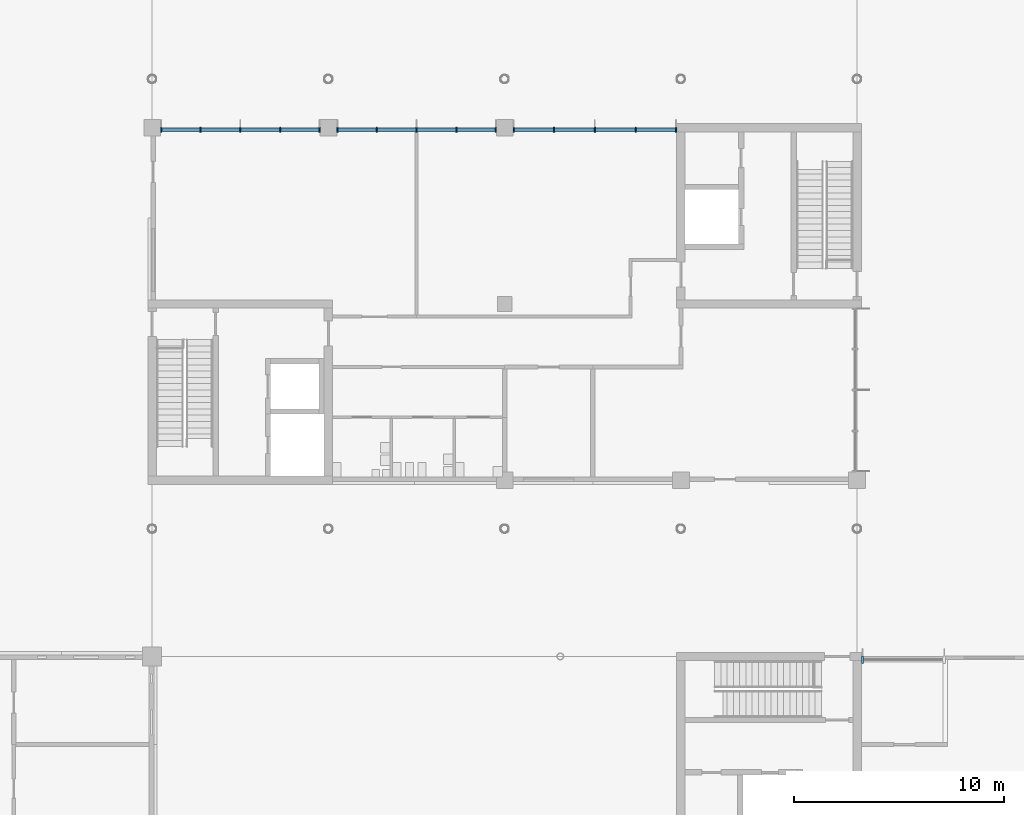
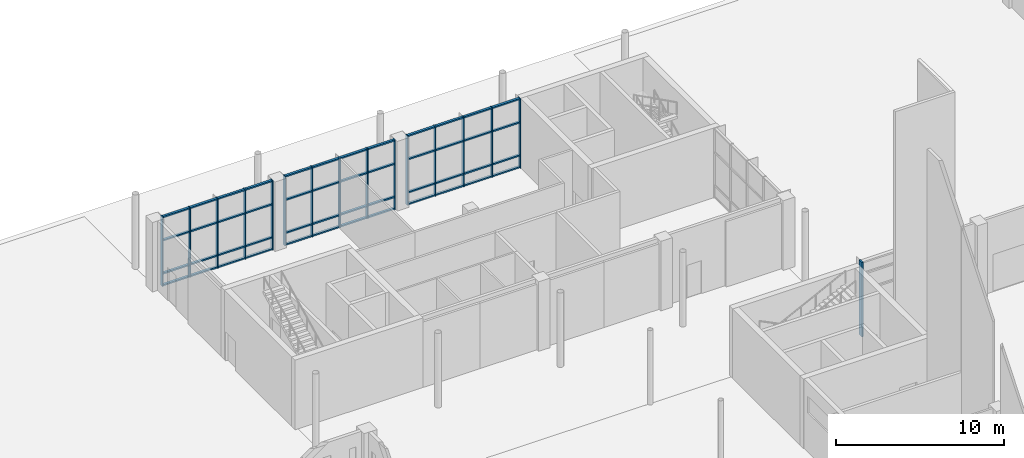
# One storey, part 21 of 76: 64 members, 4 elements without a shape of their own.
"""IFC4 building model written with IfcOpenShell, lengths in metres."""

from ifc_helpers import new_model, si_unit, direction, frame, origin, origin_2d, place, context, subcontext, project, spatial, rectangle, extrude, material, material_profile, profile_set, type_object, element, aggregate, save


model = new_model("IFC4")

# Units and contexts
model_context = context("Model", 3, precision=1e-05, world=origin(), true_north=direction((0.0, 1.0)))
body_context = subcontext(model_context, "Body", "Model", "MODEL_VIEW")
ifc_project = project(units=[si_unit("LENGTHUNIT", "METRE"), si_unit("AREAUNIT", "SQUARE_METRE"), si_unit("VOLUMEUNIT", "CUBIC_METRE"), si_unit("PLANEANGLEUNIT", "RADIAN"), si_unit("MASSUNIT", "GRAM", prefix="KILO")], contexts=[model_context])

# Site, building, storey
site_placement = place(None, origin())
site = spatial("IfcSite", under=ifc_project, at=site_placement, CompositionType="ELEMENT")
building_placement = place(site_placement, origin())
building = spatial("IfcBuilding", under=site, at=building_placement, Name="Hlaing Beacon Police Headquarters", CompositionType="ELEMENT")
storey_placement = place(building_placement, origin())
storey = spatial("IfcBuildingStorey", under=building, at=storey_placement, Name="L00", CompositionType="ELEMENT", Elevation=0.0)

# Curtain wall, member
ifc_material_1 = material(Name="Aluminium frame with solar control glazing", Category="aluminium")
curtain_wall_type_1 = type_object("IfcCurtainWallType", Name="Structural glazed gable wall 4.00 x 5.40", PredefinedType="NOTDEFINED", material=ifc_material_1)
curtain_wall_1_placement = place(storey_placement, origin())
curtain_wall_1 = element("IfcCurtainWall", 1, at=curtain_wall_1_placement, inside=storey, type_object=curtain_wall_type_1, Name="ENV-CW-L00-N021", PredefinedType="NOTDEFINED")
ifc_material_2 = material(Name="Aluminium", Category="aluminium")
ifc_material_profile_1 = material_profile(ifc_material_2, rectangle(XDim=0.35009765625, YDim=0.10009765625, at=origin_2d()), Name="Mullion 100x350")
ifc_profile_set_1 = profile_set([ifc_material_profile_1], Name="Aluminium")
member_type_1 = type_object("IfcMemberType", Name="Mullion 100x350", PredefinedType="MULLION", material=ifc_profile_set_1)
member_1_placement = place(storey_placement, frame((67.449951171875, 67.050048828125, 0.0), z_axis=(0.0, 0.0, 1.0), x_axis=(0.0, -1.0, 0.0)))
member_1 = element("IfcMember", 2, at=member_1_placement, type_object=member_type_1, Name="CW-L00-N021 mullion 2", PredefinedType="MULLION", context=body_context, shape_type="SweptSolid", body=[
    extrude(rectangle(XDim=0.35009765625, YDim=0.10009765625, at=origin_2d()), origin(), (0.0, 0.0, 1.0), 5.39990234375),
])
aggregate(curtain_wall_1, [member_1])

# Curtain wall, members
ifc_material_3 = material(Name="Aluminium frame with solar control glazing", Category="aluminium")
curtain_wall_type_2 = type_object("IfcCurtainWallType", Name="Unitised curtain wall 7.80 x 5.05", PredefinedType="NOTDEFINED", material=ifc_material_3)
curtain_wall_2_placement = place(storey_placement, origin())
curtain_wall_2 = element("IfcCurtainWall", 3, at=curtain_wall_2_placement, inside=storey, type_object=curtain_wall_type_2, Name="ENV-CW-L00-N023", PredefinedType="NOTDEFINED")
ifc_material_4 = material(Name="Aluminium", Category="aluminium")
ifc_material_profile_2 = material_profile(ifc_material_4, rectangle(XDim=0.25, YDim=0.06005859375, at=origin_2d()), Name="Mullion 60x250")
ifc_profile_set_2 = profile_set([ifc_material_profile_2], Name="Aluminium")
member_type_2 = type_object("IfcMemberType", Name="Mullion 60x250", PredefinedType="MULLION", material=ifc_profile_set_2)
member_2_placement = place(storey_placement, frame((58.570068359375, 92.300048828125, 0.0), z_axis=(0.0, 0.0, 1.0), x_axis=(0.0, -1.0, 0.0)))
member_2 = element("IfcMember", 4, at=member_2_placement, type_object=member_type_2, Name="CW-L00-N023 mullion 1", PredefinedType="MULLION", context=body_context, shape_type="SweptSolid", body=[
    extrude(rectangle(XDim=0.25, YDim=0.06005859375, at=origin_2d()), origin(), (0.0, 0.0, 1.0), 5.050048828125),
])
member_3_placement = place(storey_placement, frame((56.64990234375, 92.300048828125, 0.0), z_axis=(0.0, 0.0, 1.0), x_axis=(0.0, -1.0, 0.0)))
member_3 = element("IfcMember", 5, at=member_3_placement, type_object=member_type_2, Name="CW-L00-N023 mullion 2", PredefinedType="MULLION", context=body_context, shape_type="SweptSolid", body=[
    extrude(rectangle(XDim=0.25, YDim=0.06005859375, at=origin_2d()), origin(), (0.0, 0.0, 1.0), 5.050048828125),
])
member_4_placement = place(storey_placement, frame((54.699951171875, 92.300048828125, 0.0), z_axis=(0.0, 0.0, 1.0), x_axis=(0.0, -1.0, 0.0)))
member_4 = element("IfcMember", 6, at=member_4_placement, type_object=member_type_2, Name="CW-L00-N023 mullion 3", PredefinedType="MULLION", context=body_context, shape_type="SweptSolid", body=[
    extrude(rectangle(XDim=0.25, YDim=0.06005859375, at=origin_2d()), origin(), (0.0, 0.0, 1.0), 5.050048828125),
])
member_5_placement = place(storey_placement, frame((52.75, 92.300048828125, 0.0), z_axis=(0.0, 0.0, 1.0), x_axis=(0.0, -1.0, 0.0)))
member_5 = element("IfcMember", 7, at=member_5_placement, type_object=member_type_2, Name="CW-L00-N023 mullion 4", PredefinedType="MULLION", context=body_context, shape_type="SweptSolid", body=[
    extrude(rectangle(XDim=0.25, YDim=0.06005859375, at=origin_2d()), origin(), (0.0, 0.0, 1.0), 5.050048828125),
])
member_6_placement = place(storey_placement, frame((50.830078125, 92.300048828125, 0.0), z_axis=(0.0, 0.0, 1.0), x_axis=(0.0, -1.0, 0.0)))
member_6 = element("IfcMember", 8, at=member_6_placement, type_object=member_type_2, Name="CW-L00-N023 mullion 5", PredefinedType="MULLION", context=body_context, shape_type="SweptSolid", body=[
    extrude(rectangle(XDim=0.25, YDim=0.06005859375, at=origin_2d()), origin(), (0.0, 0.0, 1.0), 5.050048828125),
])

ifc_material_5 = material(Name="Aluminium frame with solar control glazing", Category="aluminium")
curtain_wall_type_3 = type_object("IfcCurtainWallType", Name="Unitised curtain wall 7.60 x 5.05", PredefinedType="NOTDEFINED", material=ifc_material_5)
curtain_wall_3_placement = place(storey_placement, origin())
curtain_wall_3 = element("IfcCurtainWall", 9, at=curtain_wall_3_placement, inside=storey, type_object=curtain_wall_type_3, Name="ENV-CW-L00-N024", PredefinedType="NOTDEFINED")
member_7_placement = place(storey_placement, frame((49.969970703125, 92.300048828125, 0.0), z_axis=(0.0, 0.0, 1.0), x_axis=(0.0, -1.0, 0.0)))
member_7 = element("IfcMember", 10, at=member_7_placement, type_object=member_type_2, Name="CW-L00-N024 mullion 1", PredefinedType="MULLION", context=body_context, shape_type="SweptSolid", body=[
    extrude(rectangle(XDim=0.25, YDim=0.06005859375, at=origin_2d()), origin(), (0.0, 0.0, 1.0), 5.050048828125),
])
member_8_placement = place(storey_placement, frame((48.10009765625, 92.300048828125, 0.0), z_axis=(0.0, 0.0, 1.0), x_axis=(0.0, -1.0, 0.0)))
member_8 = element("IfcMember", 11, at=member_8_placement, type_object=member_type_2, Name="CW-L00-N024 mullion 2", PredefinedType="MULLION", context=body_context, shape_type="SweptSolid", body=[
    extrude(rectangle(XDim=0.25, YDim=0.06005859375, at=origin_2d()), origin(), (0.0, 0.0, 1.0), 5.050048828125),
])
member_9_placement = place(storey_placement, frame((46.199951171875, 92.300048828125, 0.0), z_axis=(0.0, 0.0, 1.0), x_axis=(0.0, -1.0, 0.0)))
member_9 = element("IfcMember", 12, at=member_9_placement, type_object=member_type_2, Name="CW-L00-N024 mullion 3", PredefinedType="MULLION", context=body_context, shape_type="SweptSolid", body=[
    extrude(rectangle(XDim=0.25, YDim=0.06005859375, at=origin_2d()), origin(), (0.0, 0.0, 1.0), 5.050048828125),
])
member_10_placement = place(storey_placement, frame((44.300048828125, 92.300048828125, 0.0), z_axis=(0.0, 0.0, 1.0), x_axis=(0.0, -1.0, 0.0)))
member_10 = element("IfcMember", 13, at=member_10_placement, type_object=member_type_2, Name="CW-L00-N024 mullion 4", PredefinedType="MULLION", context=body_context, shape_type="SweptSolid", body=[
    extrude(rectangle(XDim=0.25, YDim=0.06005859375, at=origin_2d()), origin(), (0.0, 0.0, 1.0), 5.050048828125),
])
member_11_placement = place(storey_placement, frame((42.429931640625, 92.300048828125, 0.0), z_axis=(0.0, 0.0, 1.0), x_axis=(0.0, -1.0, 0.0)))
member_11 = element("IfcMember", 14, at=member_11_placement, type_object=member_type_2, Name="CW-L00-N024 mullion 5", PredefinedType="MULLION", context=body_context, shape_type="SweptSolid", body=[
    extrude(rectangle(XDim=0.25, YDim=0.06005859375, at=origin_2d()), origin(), (0.0, 0.0, 1.0), 5.050048828125),
])

curtain_wall_4_placement = place(storey_placement, origin())
curtain_wall_4 = element("IfcCurtainWall", 15, at=curtain_wall_4_placement, inside=storey, type_object=curtain_wall_type_3, Name="ENV-CW-L00-N025", PredefinedType="NOTDEFINED")
member_12_placement = place(storey_placement, frame((41.570068359375, 92.300048828125, 0.0), z_axis=(0.0, 0.0, 1.0), x_axis=(0.0, -1.0, 0.0)))
member_12 = element("IfcMember", 16, at=member_12_placement, type_object=member_type_2, Name="CW-L00-N025 mullion 1", PredefinedType="MULLION", context=body_context, shape_type="SweptSolid", body=[
    extrude(rectangle(XDim=0.25, YDim=0.06005859375, at=origin_2d()), origin(), (0.0, 0.0, 1.0), 5.050048828125),
])
member_13_placement = place(storey_placement, frame((39.699951171875, 92.300048828125, 0.0), z_axis=(0.0, 0.0, 1.0), x_axis=(0.0, -1.0, 0.0)))
member_13 = element("IfcMember", 17, at=member_13_placement, type_object=member_type_2, Name="CW-L00-N025 mullion 2", PredefinedType="MULLION", context=body_context, shape_type="SweptSolid", body=[
    extrude(rectangle(XDim=0.25, YDim=0.06005859375, at=origin_2d()), origin(), (0.0, 0.0, 1.0), 5.050048828125),
])
member_14_placement = place(storey_placement, frame((37.800048828125, 92.300048828125, 0.0), z_axis=(0.0, 0.0, 1.0), x_axis=(0.0, -1.0, 0.0)))
member_14 = element("IfcMember", 18, at=member_14_placement, type_object=member_type_2, Name="CW-L00-N025 mullion 3", PredefinedType="MULLION", context=body_context, shape_type="SweptSolid", body=[
    extrude(rectangle(XDim=0.25, YDim=0.06005859375, at=origin_2d()), origin(), (0.0, 0.0, 1.0), 5.050048828125),
])
member_15_placement = place(storey_placement, frame((35.89990234375, 92.300048828125, 0.0), z_axis=(0.0, 0.0, 1.0), x_axis=(0.0, -1.0, 0.0)))
member_15 = element("IfcMember", 19, at=member_15_placement, type_object=member_type_2, Name="CW-L00-N025 mullion 4", PredefinedType="MULLION", context=body_context, shape_type="SweptSolid", body=[
    extrude(rectangle(XDim=0.25, YDim=0.06005859375, at=origin_2d()), origin(), (0.0, 0.0, 1.0), 5.050048828125),
])
member_16_placement = place(storey_placement, frame((34.030029296875, 92.300048828125, 0.0), z_axis=(0.0, 0.0, 1.0), x_axis=(0.0, -1.0, 0.0)))
member_16 = element("IfcMember", 20, at=member_16_placement, type_object=member_type_2, Name="CW-L00-N025 mullion 5", PredefinedType="MULLION", context=body_context, shape_type="SweptSolid", body=[
    extrude(rectangle(XDim=0.25, YDim=0.06005859375, at=origin_2d()), origin(), (0.0, 0.0, 1.0), 5.050048828125),
])

# Member
ifc_material_6 = material(Name="Aluminium", Category="aluminium")
ifc_material_profile_3 = material_profile(ifc_material_6, rectangle(XDim=0.159912109375, YDim=0.10009765625, at=origin_2d()), Name="Transom 160x100")
ifc_profile_set_3 = profile_set([ifc_material_profile_3], Name="Aluminium")
member_type_3 = type_object("IfcMemberType", Name="Transom 160x100", PredefinedType="USERDEFINED", material=ifc_profile_set_3)
member_17_placement = place(storey_placement, frame((58.5400390625, 92.300048828125, 0.050048828125), z_axis=(-1.0, 0.0, 0.0), x_axis=(0.0, -1.0, 0.0)))
member_17 = element("IfcMember", 21, at=member_17_placement, type_object=member_type_3, Name="CW-L00-N023 transom 1.1", ObjectType="TRANSOM", PredefinedType="USERDEFINED", context=body_context, shape_type="SweptSolid", body=[
    extrude(rectangle(XDim=0.159912109375, YDim=0.10009765625, at=origin_2d()), origin(), (0.0, 0.0, 1.0), 1.860107421875),
])

member_18_placement = place(storey_placement, frame((58.5400390625, 92.300048828125, 0.89990234375), z_axis=(-1.0, 0.0, 0.0), x_axis=(0.0, -1.0, 0.0)))
member_18 = element("IfcMember", 22, at=member_18_placement, type_object=member_type_3, Name="CW-L00-N023 transom 1.2", ObjectType="TRANSOM", PredefinedType="USERDEFINED", context=body_context, shape_type="SweptSolid", body=[
    extrude(rectangle(XDim=0.159912109375, YDim=0.10009765625, at=origin_2d()), origin(), (0.0, 0.0, 1.0), 1.860107421875),
])

member_19_placement = place(storey_placement, frame((58.5400390625, 92.300048828125, 3.300048828125), z_axis=(-1.0, 0.0, 0.0), x_axis=(0.0, -1.0, 0.0)))
member_19 = element("IfcMember", 23, at=member_19_placement, type_object=member_type_3, Name="CW-L00-N023 transom 1.3", ObjectType="TRANSOM", PredefinedType="USERDEFINED", context=body_context, shape_type="SweptSolid", body=[
    extrude(rectangle(XDim=0.159912109375, YDim=0.10009765625, at=origin_2d()), origin(), (0.0, 0.0, 1.0), 1.860107421875),
])

member_20_placement = place(storey_placement, frame((58.5400390625, 92.300048828125, 5.0), z_axis=(-1.0, 0.0, 0.0), x_axis=(0.0, -1.0, 0.0)))
member_20 = element("IfcMember", 24, at=member_20_placement, type_object=member_type_3, Name="CW-L00-N023 transom 1.4", ObjectType="TRANSOM", PredefinedType="USERDEFINED", context=body_context, shape_type="SweptSolid", body=[
    extrude(rectangle(XDim=0.159912109375, YDim=0.10009765625, at=origin_2d()), origin(), (0.0, 0.0, 1.0), 1.860107421875),
])

member_21_placement = place(storey_placement, frame((56.6201171875, 92.300048828125, 0.050048828125), z_axis=(-1.0, 0.0, 0.0), x_axis=(0.0, -1.0, 0.0)))
member_21 = element("IfcMember", 25, at=member_21_placement, type_object=member_type_3, Name="CW-L00-N023 transom 2.1", ObjectType="TRANSOM", PredefinedType="USERDEFINED", context=body_context, shape_type="SweptSolid", body=[
    extrude(rectangle(XDim=0.159912109375, YDim=0.10009765625, at=origin_2d()), origin(), (0.0, 0.0, 1.0), 1.89013671875),
])

member_22_placement = place(storey_placement, frame((56.6201171875, 92.300048828125, 0.89990234375), z_axis=(-1.0, 0.0, 0.0), x_axis=(0.0, -1.0, 0.0)))
member_22 = element("IfcMember", 26, at=member_22_placement, type_object=member_type_3, Name="CW-L00-N023 transom 2.2", ObjectType="TRANSOM", PredefinedType="USERDEFINED", context=body_context, shape_type="SweptSolid", body=[
    extrude(rectangle(XDim=0.159912109375, YDim=0.10009765625, at=origin_2d()), origin(), (0.0, 0.0, 1.0), 1.89013671875),
])

member_23_placement = place(storey_placement, frame((56.6201171875, 92.300048828125, 3.300048828125), z_axis=(-1.0, 0.0, 0.0), x_axis=(0.0, -1.0, 0.0)))
member_23 = element("IfcMember", 27, at=member_23_placement, type_object=member_type_3, Name="CW-L00-N023 transom 2.3", ObjectType="TRANSOM", PredefinedType="USERDEFINED", context=body_context, shape_type="SweptSolid", body=[
    extrude(rectangle(XDim=0.159912109375, YDim=0.10009765625, at=origin_2d()), origin(), (0.0, 0.0, 1.0), 1.89013671875),
])

member_24_placement = place(storey_placement, frame((56.6201171875, 92.300048828125, 5.0), z_axis=(-1.0, 0.0, 0.0), x_axis=(0.0, -1.0, 0.0)))
member_24 = element("IfcMember", 28, at=member_24_placement, type_object=member_type_3, Name="CW-L00-N023 transom 2.4", ObjectType="TRANSOM", PredefinedType="USERDEFINED", context=body_context, shape_type="SweptSolid", body=[
    extrude(rectangle(XDim=0.159912109375, YDim=0.10009765625, at=origin_2d()), origin(), (0.0, 0.0, 1.0), 1.89013671875),
])

member_25_placement = place(storey_placement, frame((54.669921875, 92.300048828125, 0.050048828125), z_axis=(-1.0, 0.0, 0.0), x_axis=(0.0, -1.0, 0.0)))
member_25 = element("IfcMember", 29, at=member_25_placement, type_object=member_type_3, Name="CW-L00-N023 transom 3.1", ObjectType="TRANSOM", PredefinedType="USERDEFINED", context=body_context, shape_type="SweptSolid", body=[
    extrude(rectangle(XDim=0.159912109375, YDim=0.10009765625, at=origin_2d()), origin(), (0.0, 0.0, 1.0), 1.889892578125),
])

member_26_placement = place(storey_placement, frame((54.669921875, 92.300048828125, 0.89990234375), z_axis=(-1.0, 0.0, 0.0), x_axis=(0.0, -1.0, 0.0)))
member_26 = element("IfcMember", 30, at=member_26_placement, type_object=member_type_3, Name="CW-L00-N023 transom 3.2", ObjectType="TRANSOM", PredefinedType="USERDEFINED", context=body_context, shape_type="SweptSolid", body=[
    extrude(rectangle(XDim=0.159912109375, YDim=0.10009765625, at=origin_2d()), origin(), (0.0, 0.0, 1.0), 1.889892578125),
])

member_27_placement = place(storey_placement, frame((54.669921875, 92.300048828125, 3.300048828125), z_axis=(-1.0, 0.0, 0.0), x_axis=(0.0, -1.0, 0.0)))
member_27 = element("IfcMember", 31, at=member_27_placement, type_object=member_type_3, Name="CW-L00-N023 transom 3.3", ObjectType="TRANSOM", PredefinedType="USERDEFINED", context=body_context, shape_type="SweptSolid", body=[
    extrude(rectangle(XDim=0.159912109375, YDim=0.10009765625, at=origin_2d()), origin(), (0.0, 0.0, 1.0), 1.889892578125),
])

member_28_placement = place(storey_placement, frame((54.669921875, 92.300048828125, 5.0), z_axis=(-1.0, 0.0, 0.0), x_axis=(0.0, -1.0, 0.0)))
member_28 = element("IfcMember", 32, at=member_28_placement, type_object=member_type_3, Name="CW-L00-N023 transom 3.4", ObjectType="TRANSOM", PredefinedType="USERDEFINED", context=body_context, shape_type="SweptSolid", body=[
    extrude(rectangle(XDim=0.159912109375, YDim=0.10009765625, at=origin_2d()), origin(), (0.0, 0.0, 1.0), 1.889892578125),
])

member_29_placement = place(storey_placement, frame((52.719970703125, 92.300048828125, 0.050048828125), z_axis=(-1.0, 0.0, 0.0), x_axis=(0.0, -1.0, 0.0)))
member_29 = element("IfcMember", 33, at=member_29_placement, type_object=member_type_3, Name="CW-L00-N023 transom 4.1", ObjectType="TRANSOM", PredefinedType="USERDEFINED", context=body_context, shape_type="SweptSolid", body=[
    extrude(rectangle(XDim=0.159912109375, YDim=0.10009765625, at=origin_2d()), origin(), (0.0, 0.0, 1.0), 1.85986328125),
])

member_30_placement = place(storey_placement, frame((52.719970703125, 92.300048828125, 0.89990234375), z_axis=(-1.0, 0.0, 0.0), x_axis=(0.0, -1.0, 0.0)))
member_30 = element("IfcMember", 34, at=member_30_placement, type_object=member_type_3, Name="CW-L00-N023 transom 4.2", ObjectType="TRANSOM", PredefinedType="USERDEFINED", context=body_context, shape_type="SweptSolid", body=[
    extrude(rectangle(XDim=0.159912109375, YDim=0.10009765625, at=origin_2d()), origin(), (0.0, 0.0, 1.0), 1.85986328125),
])

member_31_placement = place(storey_placement, frame((52.719970703125, 92.300048828125, 3.300048828125), z_axis=(-1.0, 0.0, 0.0), x_axis=(0.0, -1.0, 0.0)))
member_31 = element("IfcMember", 35, at=member_31_placement, type_object=member_type_3, Name="CW-L00-N023 transom 4.3", ObjectType="TRANSOM", PredefinedType="USERDEFINED", context=body_context, shape_type="SweptSolid", body=[
    extrude(rectangle(XDim=0.159912109375, YDim=0.10009765625, at=origin_2d()), origin(), (0.0, 0.0, 1.0), 1.85986328125),
])

member_32_placement = place(storey_placement, frame((52.719970703125, 92.300048828125, 5.0), z_axis=(-1.0, 0.0, 0.0), x_axis=(0.0, -1.0, 0.0)))
member_32 = element("IfcMember", 36, at=member_32_placement, type_object=member_type_3, Name="CW-L00-N023 transom 4.4", ObjectType="TRANSOM", PredefinedType="USERDEFINED", context=body_context, shape_type="SweptSolid", body=[
    extrude(rectangle(XDim=0.159912109375, YDim=0.10009765625, at=origin_2d()), origin(), (0.0, 0.0, 1.0), 1.85986328125),
])

aggregate(curtain_wall_2, [member_2, member_3, member_4, member_5, member_6, member_17, member_18, member_19, member_20, member_21, member_22, member_23, member_24, member_25, member_26, member_27, member_28, member_29, member_30, member_31, member_32])

member_33_placement = place(storey_placement, frame((49.93994140625, 92.300048828125, 0.050048828125), z_axis=(-1.0, 0.0, 0.0), x_axis=(0.0, -1.0, 0.0)))
member_33 = element("IfcMember", 37, at=member_33_placement, type_object=member_type_3, Name="CW-L00-N024 transom 1.1", ObjectType="TRANSOM", PredefinedType="USERDEFINED", context=body_context, shape_type="SweptSolid", body=[
    extrude(rectangle(XDim=0.159912109375, YDim=0.10009765625, at=origin_2d()), origin(), (0.0, 0.0, 1.0), 1.81005859375),
])

member_34_placement = place(storey_placement, frame((49.93994140625, 92.300048828125, 0.89990234375), z_axis=(-1.0, 0.0, 0.0), x_axis=(0.0, -1.0, 0.0)))
member_34 = element("IfcMember", 38, at=member_34_placement, type_object=member_type_3, Name="CW-L00-N024 transom 1.2", ObjectType="TRANSOM", PredefinedType="USERDEFINED", context=body_context, shape_type="SweptSolid", body=[
    extrude(rectangle(XDim=0.159912109375, YDim=0.10009765625, at=origin_2d()), origin(), (0.0, 0.0, 1.0), 1.81005859375),
])

member_35_placement = place(storey_placement, frame((49.93994140625, 92.300048828125, 3.300048828125), z_axis=(-1.0, 0.0, 0.0), x_axis=(0.0, -1.0, 0.0)))
member_35 = element("IfcMember", 39, at=member_35_placement, type_object=member_type_3, Name="CW-L00-N024 transom 1.3", ObjectType="TRANSOM", PredefinedType="USERDEFINED", context=body_context, shape_type="SweptSolid", body=[
    extrude(rectangle(XDim=0.159912109375, YDim=0.10009765625, at=origin_2d()), origin(), (0.0, 0.0, 1.0), 1.81005859375),
])

member_36_placement = place(storey_placement, frame((49.93994140625, 92.300048828125, 5.0), z_axis=(-1.0, 0.0, 0.0), x_axis=(0.0, -1.0, 0.0)))
member_36 = element("IfcMember", 40, at=member_36_placement, type_object=member_type_3, Name="CW-L00-N024 transom 1.4", ObjectType="TRANSOM", PredefinedType="USERDEFINED", context=body_context, shape_type="SweptSolid", body=[
    extrude(rectangle(XDim=0.159912109375, YDim=0.10009765625, at=origin_2d()), origin(), (0.0, 0.0, 1.0), 1.81005859375),
])

member_37_placement = place(storey_placement, frame((48.070068359375, 92.300048828125, 0.050048828125), z_axis=(-1.0, 0.0, 0.0), x_axis=(0.0, -1.0, 0.0)))
member_37 = element("IfcMember", 41, at=member_37_placement, type_object=member_type_3, Name="CW-L00-N024 transom 2.1", ObjectType="TRANSOM", PredefinedType="USERDEFINED", context=body_context, shape_type="SweptSolid", body=[
    extrude(rectangle(XDim=0.159912109375, YDim=0.10009765625, at=origin_2d()), origin(), (0.0, 0.0, 1.0), 1.840087890625),
])

member_38_placement = place(storey_placement, frame((48.070068359375, 92.300048828125, 0.89990234375), z_axis=(-1.0, 0.0, 0.0), x_axis=(0.0, -1.0, 0.0)))
member_38 = element("IfcMember", 42, at=member_38_placement, type_object=member_type_3, Name="CW-L00-N024 transom 2.2", ObjectType="TRANSOM", PredefinedType="USERDEFINED", context=body_context, shape_type="SweptSolid", body=[
    extrude(rectangle(XDim=0.159912109375, YDim=0.10009765625, at=origin_2d()), origin(), (0.0, 0.0, 1.0), 1.840087890625),
])

member_39_placement = place(storey_placement, frame((48.070068359375, 92.300048828125, 3.300048828125), z_axis=(-1.0, 0.0, 0.0), x_axis=(0.0, -1.0, 0.0)))
member_39 = element("IfcMember", 43, at=member_39_placement, type_object=member_type_3, Name="CW-L00-N024 transom 2.3", ObjectType="TRANSOM", PredefinedType="USERDEFINED", context=body_context, shape_type="SweptSolid", body=[
    extrude(rectangle(XDim=0.159912109375, YDim=0.10009765625, at=origin_2d()), origin(), (0.0, 0.0, 1.0), 1.840087890625),
])

member_40_placement = place(storey_placement, frame((48.070068359375, 92.300048828125, 5.0), z_axis=(-1.0, 0.0, 0.0), x_axis=(0.0, -1.0, 0.0)))
member_40 = element("IfcMember", 44, at=member_40_placement, type_object=member_type_3, Name="CW-L00-N024 transom 2.4", ObjectType="TRANSOM", PredefinedType="USERDEFINED", context=body_context, shape_type="SweptSolid", body=[
    extrude(rectangle(XDim=0.159912109375, YDim=0.10009765625, at=origin_2d()), origin(), (0.0, 0.0, 1.0), 1.840087890625),
])

member_41_placement = place(storey_placement, frame((46.169921875, 92.300048828125, 0.050048828125), z_axis=(-1.0, 0.0, 0.0), x_axis=(0.0, -1.0, 0.0)))
member_41 = element("IfcMember", 45, at=member_41_placement, type_object=member_type_3, Name="CW-L00-N024 transom 3.1", ObjectType="TRANSOM", PredefinedType="USERDEFINED", context=body_context, shape_type="SweptSolid", body=[
    extrude(rectangle(XDim=0.159912109375, YDim=0.10009765625, at=origin_2d()), origin(), (0.0, 0.0, 1.0), 1.83984375),
])

member_42_placement = place(storey_placement, frame((46.169921875, 92.300048828125, 0.89990234375), z_axis=(-1.0, 0.0, 0.0), x_axis=(0.0, -1.0, 0.0)))
member_42 = element("IfcMember", 46, at=member_42_placement, type_object=member_type_3, Name="CW-L00-N024 transom 3.2", ObjectType="TRANSOM", PredefinedType="USERDEFINED", context=body_context, shape_type="SweptSolid", body=[
    extrude(rectangle(XDim=0.159912109375, YDim=0.10009765625, at=origin_2d()), origin(), (0.0, 0.0, 1.0), 1.83984375),
])

member_43_placement = place(storey_placement, frame((46.169921875, 92.300048828125, 3.300048828125), z_axis=(-1.0, 0.0, 0.0), x_axis=(0.0, -1.0, 0.0)))
member_43 = element("IfcMember", 47, at=member_43_placement, type_object=member_type_3, Name="CW-L00-N024 transom 3.3", ObjectType="TRANSOM", PredefinedType="USERDEFINED", context=body_context, shape_type="SweptSolid", body=[
    extrude(rectangle(XDim=0.159912109375, YDim=0.10009765625, at=origin_2d()), origin(), (0.0, 0.0, 1.0), 1.83984375),
])

member_44_placement = place(storey_placement, frame((46.169921875, 92.300048828125, 5.0), z_axis=(-1.0, 0.0, 0.0), x_axis=(0.0, -1.0, 0.0)))
member_44 = element("IfcMember", 48, at=member_44_placement, type_object=member_type_3, Name="CW-L00-N024 transom 3.4", ObjectType="TRANSOM", PredefinedType="USERDEFINED", context=body_context, shape_type="SweptSolid", body=[
    extrude(rectangle(XDim=0.159912109375, YDim=0.10009765625, at=origin_2d()), origin(), (0.0, 0.0, 1.0), 1.83984375),
])

member_45_placement = place(storey_placement, frame((44.27001953125, 92.300048828125, 0.050048828125), z_axis=(-1.0, 0.0, 0.0), x_axis=(0.0, -1.0, 0.0)))
member_45 = element("IfcMember", 49, at=member_45_placement, type_object=member_type_3, Name="CW-L00-N024 transom 4.1", ObjectType="TRANSOM", PredefinedType="USERDEFINED", context=body_context, shape_type="SweptSolid", body=[
    extrude(rectangle(XDim=0.159912109375, YDim=0.10009765625, at=origin_2d()), origin(), (0.0, 0.0, 1.0), 1.81005859375),
])

member_46_placement = place(storey_placement, frame((44.27001953125, 92.300048828125, 0.89990234375), z_axis=(-1.0, 0.0, 0.0), x_axis=(0.0, -1.0, 0.0)))
member_46 = element("IfcMember", 50, at=member_46_placement, type_object=member_type_3, Name="CW-L00-N024 transom 4.2", ObjectType="TRANSOM", PredefinedType="USERDEFINED", context=body_context, shape_type="SweptSolid", body=[
    extrude(rectangle(XDim=0.159912109375, YDim=0.10009765625, at=origin_2d()), origin(), (0.0, 0.0, 1.0), 1.81005859375),
])

member_47_placement = place(storey_placement, frame((44.27001953125, 92.300048828125, 3.300048828125), z_axis=(-1.0, 0.0, 0.0), x_axis=(0.0, -1.0, 0.0)))
member_47 = element("IfcMember", 51, at=member_47_placement, type_object=member_type_3, Name="CW-L00-N024 transom 4.3", ObjectType="TRANSOM", PredefinedType="USERDEFINED", context=body_context, shape_type="SweptSolid", body=[
    extrude(rectangle(XDim=0.159912109375, YDim=0.10009765625, at=origin_2d()), origin(), (0.0, 0.0, 1.0), 1.81005859375),
])

member_48_placement = place(storey_placement, frame((44.27001953125, 92.300048828125, 5.0), z_axis=(-1.0, 0.0, 0.0), x_axis=(0.0, -1.0, 0.0)))
member_48 = element("IfcMember", 52, at=member_48_placement, type_object=member_type_3, Name="CW-L00-N024 transom 4.4", ObjectType="TRANSOM", PredefinedType="USERDEFINED", context=body_context, shape_type="SweptSolid", body=[
    extrude(rectangle(XDim=0.159912109375, YDim=0.10009765625, at=origin_2d()), origin(), (0.0, 0.0, 1.0), 1.81005859375),
])

aggregate(curtain_wall_3, [member_7, member_8, member_9, member_10, member_11, member_33, member_34, member_35, member_36, member_37, member_38, member_39, member_40, member_41, member_42, member_43, member_44, member_45, member_46, member_47, member_48])

member_49_placement = place(storey_placement, frame((41.5400390625, 92.300048828125, 0.050048828125), z_axis=(-1.0, 0.0, 0.0), x_axis=(0.0, -1.0, 0.0)))
member_49 = element("IfcMember", 53, at=member_49_placement, type_object=member_type_3, Name="CW-L00-N025 transom 1.1", ObjectType="TRANSOM", PredefinedType="USERDEFINED", context=body_context, shape_type="SweptSolid", body=[
    extrude(rectangle(XDim=0.159912109375, YDim=0.10009765625, at=origin_2d()), origin(), (0.0, 0.0, 1.0), 1.81005859375),
])

member_50_placement = place(storey_placement, frame((41.5400390625, 92.300048828125, 0.89990234375), z_axis=(-1.0, 0.0, 0.0), x_axis=(0.0, -1.0, 0.0)))
member_50 = element("IfcMember", 54, at=member_50_placement, type_object=member_type_3, Name="CW-L00-N025 transom 1.2", ObjectType="TRANSOM", PredefinedType="USERDEFINED", context=body_context, shape_type="SweptSolid", body=[
    extrude(rectangle(XDim=0.159912109375, YDim=0.10009765625, at=origin_2d()), origin(), (0.0, 0.0, 1.0), 1.81005859375),
])

member_51_placement = place(storey_placement, frame((41.5400390625, 92.300048828125, 3.300048828125), z_axis=(-1.0, 0.0, 0.0), x_axis=(0.0, -1.0, 0.0)))
member_51 = element("IfcMember", 55, at=member_51_placement, type_object=member_type_3, Name="CW-L00-N025 transom 1.3", ObjectType="TRANSOM", PredefinedType="USERDEFINED", context=body_context, shape_type="SweptSolid", body=[
    extrude(rectangle(XDim=0.159912109375, YDim=0.10009765625, at=origin_2d()), origin(), (0.0, 0.0, 1.0), 1.81005859375),
])

member_52_placement = place(storey_placement, frame((41.5400390625, 92.300048828125, 5.0), z_axis=(-1.0, 0.0, 0.0), x_axis=(0.0, -1.0, 0.0)))
member_52 = element("IfcMember", 56, at=member_52_placement, type_object=member_type_3, Name="CW-L00-N025 transom 1.4", ObjectType="TRANSOM", PredefinedType="USERDEFINED", context=body_context, shape_type="SweptSolid", body=[
    extrude(rectangle(XDim=0.159912109375, YDim=0.10009765625, at=origin_2d()), origin(), (0.0, 0.0, 1.0), 1.81005859375),
])

member_53_placement = place(storey_placement, frame((39.669921875, 92.300048828125, 0.050048828125), z_axis=(-1.0, 0.0, 0.0), x_axis=(0.0, -1.0, 0.0)))
member_53 = element("IfcMember", 57, at=member_53_placement, type_object=member_type_3, Name="CW-L00-N025 transom 2.1", ObjectType="TRANSOM", PredefinedType="USERDEFINED", context=body_context, shape_type="SweptSolid", body=[
    extrude(rectangle(XDim=0.159912109375, YDim=0.10009765625, at=origin_2d()), origin(), (0.0, 0.0, 1.0), 1.83984375),
])

member_54_placement = place(storey_placement, frame((39.669921875, 92.300048828125, 0.89990234375), z_axis=(-1.0, 0.0, 0.0), x_axis=(0.0, -1.0, 0.0)))
member_54 = element("IfcMember", 58, at=member_54_placement, type_object=member_type_3, Name="CW-L00-N025 transom 2.2", ObjectType="TRANSOM", PredefinedType="USERDEFINED", context=body_context, shape_type="SweptSolid", body=[
    extrude(rectangle(XDim=0.159912109375, YDim=0.10009765625, at=origin_2d()), origin(), (0.0, 0.0, 1.0), 1.83984375),
])

member_55_placement = place(storey_placement, frame((39.669921875, 92.300048828125, 3.300048828125), z_axis=(-1.0, 0.0, 0.0), x_axis=(0.0, -1.0, 0.0)))
member_55 = element("IfcMember", 59, at=member_55_placement, type_object=member_type_3, Name="CW-L00-N025 transom 2.3", ObjectType="TRANSOM", PredefinedType="USERDEFINED", context=body_context, shape_type="SweptSolid", body=[
    extrude(rectangle(XDim=0.159912109375, YDim=0.10009765625, at=origin_2d()), origin(), (0.0, 0.0, 1.0), 1.83984375),
])

member_56_placement = place(storey_placement, frame((39.669921875, 92.300048828125, 5.0), z_axis=(-1.0, 0.0, 0.0), x_axis=(0.0, -1.0, 0.0)))
member_56 = element("IfcMember", 60, at=member_56_placement, type_object=member_type_3, Name="CW-L00-N025 transom 2.4", ObjectType="TRANSOM", PredefinedType="USERDEFINED", context=body_context, shape_type="SweptSolid", body=[
    extrude(rectangle(XDim=0.159912109375, YDim=0.10009765625, at=origin_2d()), origin(), (0.0, 0.0, 1.0), 1.83984375),
])

member_57_placement = place(storey_placement, frame((37.77001953125, 92.300048828125, 0.050048828125), z_axis=(-1.0, 0.0, 0.0), x_axis=(0.0, -1.0, 0.0)))
member_57 = element("IfcMember", 61, at=member_57_placement, type_object=member_type_3, Name="CW-L00-N025 transom 3.1", ObjectType="TRANSOM", PredefinedType="USERDEFINED", context=body_context, shape_type="SweptSolid", body=[
    extrude(rectangle(XDim=0.159912109375, YDim=0.10009765625, at=origin_2d()), origin(), (0.0, 0.0, 1.0), 1.840087890625),
])

member_58_placement = place(storey_placement, frame((37.77001953125, 92.300048828125, 0.89990234375), z_axis=(-1.0, 0.0, 0.0), x_axis=(0.0, -1.0, 0.0)))
member_58 = element("IfcMember", 62, at=member_58_placement, type_object=member_type_3, Name="CW-L00-N025 transom 3.2", ObjectType="TRANSOM", PredefinedType="USERDEFINED", context=body_context, shape_type="SweptSolid", body=[
    extrude(rectangle(XDim=0.159912109375, YDim=0.10009765625, at=origin_2d()), origin(), (0.0, 0.0, 1.0), 1.840087890625),
])

member_59_placement = place(storey_placement, frame((37.77001953125, 92.300048828125, 3.300048828125), z_axis=(-1.0, 0.0, 0.0), x_axis=(0.0, -1.0, 0.0)))
member_59 = element("IfcMember", 63, at=member_59_placement, type_object=member_type_3, Name="CW-L00-N025 transom 3.3", ObjectType="TRANSOM", PredefinedType="USERDEFINED", context=body_context, shape_type="SweptSolid", body=[
    extrude(rectangle(XDim=0.159912109375, YDim=0.10009765625, at=origin_2d()), origin(), (0.0, 0.0, 1.0), 1.840087890625),
])

member_60_placement = place(storey_placement, frame((37.77001953125, 92.300048828125, 5.0), z_axis=(-1.0, 0.0, 0.0), x_axis=(0.0, -1.0, 0.0)))
member_60 = element("IfcMember", 64, at=member_60_placement, type_object=member_type_3, Name="CW-L00-N025 transom 3.4", ObjectType="TRANSOM", PredefinedType="USERDEFINED", context=body_context, shape_type="SweptSolid", body=[
    extrude(rectangle(XDim=0.159912109375, YDim=0.10009765625, at=origin_2d()), origin(), (0.0, 0.0, 1.0), 1.840087890625),
])

member_61_placement = place(storey_placement, frame((35.8701171875, 92.300048828125, 0.050048828125), z_axis=(-1.0, 0.0, 0.0), x_axis=(0.0, -1.0, 0.0)))
member_61 = element("IfcMember", 65, at=member_61_placement, type_object=member_type_3, Name="CW-L00-N025 transom 4.1", ObjectType="TRANSOM", PredefinedType="USERDEFINED", context=body_context, shape_type="SweptSolid", body=[
    extrude(rectangle(XDim=0.159912109375, YDim=0.10009765625, at=origin_2d()), origin(), (0.0, 0.0, 1.0), 1.81005859375),
])

member_62_placement = place(storey_placement, frame((35.8701171875, 92.300048828125, 0.89990234375), z_axis=(-1.0, 0.0, 0.0), x_axis=(0.0, -1.0, 0.0)))
member_62 = element("IfcMember", 66, at=member_62_placement, type_object=member_type_3, Name="CW-L00-N025 transom 4.2", ObjectType="TRANSOM", PredefinedType="USERDEFINED", context=body_context, shape_type="SweptSolid", body=[
    extrude(rectangle(XDim=0.159912109375, YDim=0.10009765625, at=origin_2d()), origin(), (0.0, 0.0, 1.0), 1.81005859375),
])

member_63_placement = place(storey_placement, frame((35.8701171875, 92.300048828125, 3.300048828125), z_axis=(-1.0, 0.0, 0.0), x_axis=(0.0, -1.0, 0.0)))
member_63 = element("IfcMember", 67, at=member_63_placement, type_object=member_type_3, Name="CW-L00-N025 transom 4.3", ObjectType="TRANSOM", PredefinedType="USERDEFINED", context=body_context, shape_type="SweptSolid", body=[
    extrude(rectangle(XDim=0.159912109375, YDim=0.10009765625, at=origin_2d()), origin(), (0.0, 0.0, 1.0), 1.81005859375),
])

member_64_placement = place(storey_placement, frame((35.8701171875, 92.300048828125, 5.0), z_axis=(-1.0, 0.0, 0.0), x_axis=(0.0, -1.0, 0.0)))
member_64 = element("IfcMember", 68, at=member_64_placement, type_object=member_type_3, Name="CW-L00-N025 transom 4.4", ObjectType="TRANSOM", PredefinedType="USERDEFINED", context=body_context, shape_type="SweptSolid", body=[
    extrude(rectangle(XDim=0.159912109375, YDim=0.10009765625, at=origin_2d()), origin(), (0.0, 0.0, 1.0), 1.81005859375),
])

aggregate(curtain_wall_4, [member_12, member_13, member_14, member_15, member_16, member_49, member_50, member_51, member_52, member_53, member_54, member_55, member_56, member_57, member_58, member_59, member_60, member_61, member_62, member_63, member_64])

save(model, "model.ifc")
